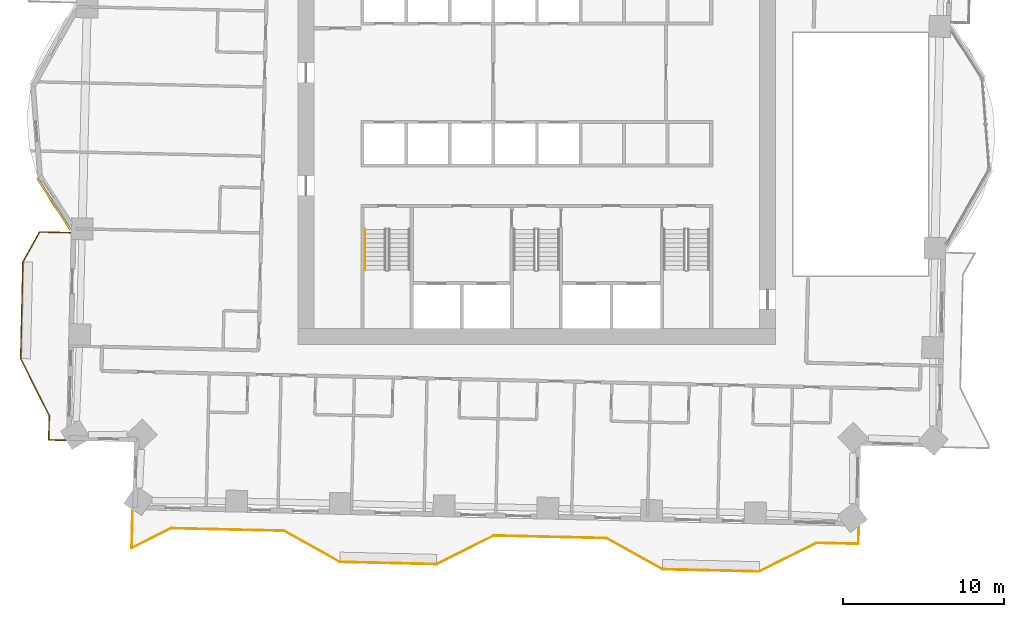
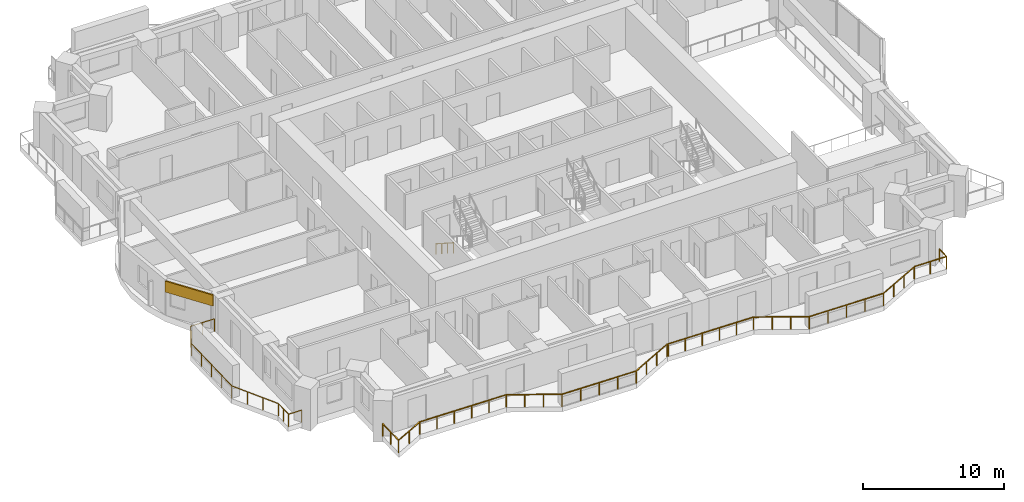
# One storey, part 13 of 16: 3 railings, 1 covering.
"""IFC4 building model written with IfcOpenShell, lengths in metres."""

from ifc_helpers import new_model, si_unit, direction, frame, frame_2d, origin, origin_2d, place, context, subcontext, project, spatial, rectangle, circle, extrude, material, layer, layer_set, type_object, element, save


model = new_model("IFC4")

# Units and contexts
model_context = context("Model", 3, precision=1e-05, world=origin(), true_north=direction((0.0, 1.0)))
body_context = subcontext(model_context, "Body", "Model", "MODEL_VIEW")
ifc_project = project(units=[si_unit("LENGTHUNIT", "METRE"), si_unit("AREAUNIT", "SQUARE_METRE"), si_unit("VOLUMEUNIT", "CUBIC_METRE"), si_unit("PLANEANGLEUNIT", "RADIAN"), si_unit("MASSUNIT", "GRAM", prefix="KILO")], contexts=[model_context])

# Site, building, storey
site_placement = place(None, origin())
site = spatial("IfcSite", under=ifc_project, at=site_placement, CompositionType="ELEMENT")
building_placement = place(site_placement, origin())
building = spatial("IfcBuilding", under=site, at=building_placement, Name="Mangrove Gate Tower", CompositionType="ELEMENT")
storey_placement = place(building_placement, frame((0.0, 0.0, 116.300048828125)))
storey = spatial("IfcBuildingStorey", under=building, at=storey_placement, Name="L29", CompositionType="ELEMENT", Elevation=116.300048828125)

# Railings
ifc_material_1 = material(Name="Stainless steel grade 316 with laminated glass infill", Category="steel")
railing_type_1 = type_object("IfcRailingType", Name="Balcony guard 1100", PredefinedType="GUARDRAIL", material=ifc_material_1)
railing_1_placement = place(storey_placement, frame((-28.89892578125, -4.85791015625, 0.0)))
element("IfcRailing", 1, at=railing_1_placement, inside=storey, type_object=railing_type_1, Name="GUARD L29 W2", PredefinedType="GUARDRAIL", context=body_context, shape_type="SweptSolid", body=[
    extrude(rectangle(XDim=0.048095703125, YDim=0.048095703125, at=origin_2d()), frame((0.0, 0.0, 1.076171875), z_axis=(-0.999737613728, 0.02290641172, 0.0), x_axis=(-0.02290641172, -0.999737613728, 0.0)), (0.0, 0.0, 1.0), 1.91845703125),
    extrude(rectangle(XDim=0.048095703125, YDim=0.048095703125, at=origin_2d()), frame((-1.91796875, 0.0439453125, 1.076171875), z_axis=(-0.487186514768, -0.873297944477, 0.0), x_axis=(0.873297944477, -0.487186514768, 0.0)), (0.0, 0.0, 1.0), 2.120849609375),
    extrude(rectangle(XDim=0.048095703125, YDim=0.048095703125, at=origin_2d()), frame((-2.951171875, -1.80810546875, 1.076171875), z_axis=(-0.022828630714, -0.999739392852, 0.0), x_axis=(0.999739392852, -0.022828630714, 0.0)), (0.0, 0.0, 1.0), 5.99951171875),
    extrude(rectangle(XDim=0.048095703125, YDim=0.048095703125, at=origin_2d()), frame((-3.088134765625, -7.80615234375, 1.076171875), z_axis=(0.447312255532, -0.894377854182, 0.0), x_axis=(0.894377854182, 0.447312255532, 0.0)), (0.0, 0.0, 1.0), 3.959228515625),
    extrude(rectangle(XDim=0.048095703125, YDim=0.048095703125, at=origin_2d()), frame((-1.317138671875, -11.34716796875, 1.076171875), z_axis=(-0.022617910375, -0.999744182344, 0.0), x_axis=(0.999744182344, -0.022617910375, 0.0)), (0.0, 0.0, 1.0), 1.50048828125),
    extrude(rectangle(XDim=0.048095703125, YDim=0.048095703125, at=origin_2d()), frame((-1.35107421875, -12.84716796875, 1.076171875), z_axis=(0.999744919731, -0.022585293253, 0.0), x_axis=(0.022585293253, 0.999744919731, 0.0)), (0.0, 0.0, 1.0), 1.059326171875),
    extrude(rectangle(XDim=0.0419921875, YDim=0.0419921875, at=origin_2d()), origin(), (0.0, 0.0, 1.0), 1.052001953125),
    extrude(rectangle(XDim=0.0419921875, YDim=0.0419921875, at=origin_2d()), frame((-0.958984375, 0.02197265625, 0.0)), (0.0, 0.0, 1.0), 1.052001953125),
    extrude(rectangle(XDim=0.0419921875, YDim=0.0419921875, at=origin_2d()), frame((-1.91796875, 0.0439453125, 0.0)), (0.0, 0.0, 1.0), 1.052001953125),
    extrude(rectangle(XDim=0.0419921875, YDim=0.0419921875, at=origin_2d()), frame((-2.4345703125, -0.882080078125, 0.0)), (0.0, 0.0, 1.0), 1.052001953125),
    extrude(rectangle(XDim=0.0419921875, YDim=0.0419921875, at=origin_2d()), frame((-2.951171875, -1.80810546875, 0.0)), (0.0, 0.0, 1.0), 1.052001953125),
    extrude(rectangle(XDim=0.0419921875, YDim=0.0419921875, at=origin_2d()), frame((-2.9853515625, -3.3076171875, 0.0)), (0.0, 0.0, 1.0), 1.052001953125),
    extrude(rectangle(XDim=0.0419921875, YDim=0.0419921875, at=origin_2d()), frame((-3.01953125, -4.80712890625, 0.0)), (0.0, 0.0, 1.0), 1.052001953125),
    extrude(rectangle(XDim=0.0419921875, YDim=0.0419921875, at=origin_2d()), frame((-3.053955078125, -6.306640625, 0.0)), (0.0, 0.0, 1.0), 1.052001953125),
    extrude(rectangle(XDim=0.0419921875, YDim=0.0419921875, at=origin_2d()), frame((-3.088134765625, -7.80615234375, 0.0)), (0.0, 0.0, 1.0), 1.052001953125),
    extrude(rectangle(XDim=0.0419921875, YDim=0.0419921875, at=origin_2d()), frame((-2.497802734375, -8.986572265625, 0.0)), (0.0, 0.0, 1.0), 1.052001953125),
    extrude(rectangle(XDim=0.0419921875, YDim=0.0419921875, at=origin_2d()), frame((-1.907470703125, -10.166748046875, 0.0)), (0.0, 0.0, 1.0), 1.052001953125),
    extrude(rectangle(XDim=0.0419921875, YDim=0.0419921875, at=origin_2d()), frame((-1.317138671875, -11.34716796875, 0.0)), (0.0, 0.0, 1.0), 1.052001953125),
    extrude(rectangle(XDim=0.0419921875, YDim=0.0419921875, at=origin_2d()), frame((-1.333984375, -12.09716796875, 0.0)), (0.0, 0.0, 1.0), 1.052001953125),
    extrude(rectangle(XDim=0.0419921875, YDim=0.0419921875, at=origin_2d()), frame((-1.35107421875, -12.84716796875, 0.0)), (0.0, 0.0, 1.0), 1.052001953125),
    extrude(rectangle(XDim=0.0419921875, YDim=0.0419921875, at=origin_2d()), frame((-0.2919921875, -12.87109375, 0.0)), (0.0, 0.0, 1.0), 1.052001953125),
])
railing_2_placement = place(storey_placement, frame((-25.048095703125, -22.06396484375, 0.0)))
element("IfcRailing", 2, at=railing_2_placement, inside=storey, type_object=railing_type_1, Name="GUARD L29 S1", PredefinedType="GUARDRAIL", context=body_context, shape_type="SweptSolid", body=[
    extrude(rectangle(XDim=0.048095703125, YDim=0.048095703125, at=origin_2d()), frame((0.0, 0.0, 1.076171875), z_axis=(-0.022730923236, -0.999741619184, 0.0), x_axis=(0.999741619184, -0.022730923236, 0.0)), (0.0, 0.0, 1.0), 2.33056640625),
    extrude(rectangle(XDim=0.048095703125, YDim=0.048095703125, at=origin_2d()), frame((-0.052978515625, -2.330078125, 1.076171875), z_axis=(0.894427191, 0.4472135955, 0.0), x_axis=(-0.4472135955, 0.894427191, 0.0)), (0.0, 0.0, 1.0), 2.71923828125),
    extrude(rectangle(XDim=0.048095703125, YDim=0.048095703125, at=origin_2d()), frame((2.379150390625, -1.114013671875, 1.076171875), z_axis=(0.999742267452, -0.022702393474, 0.0), x_axis=(0.022702393474, 0.999742267452, 0.0)), (0.0, 0.0, 1.0), 7.000732421875),
    extrude(rectangle(XDim=0.048095703125, YDim=0.048095703125, at=origin_2d()), frame((9.378173828125, -1.27294921875, 1.076171875), z_axis=(0.873230657876, -0.487307108654, 0.0), x_axis=(0.487307108654, 0.873230657876, 0.0)), (0.0, 0.0, 1.0), 3.958984375),
    extrude(rectangle(XDim=0.048095703125, YDim=0.048095703125, at=origin_2d()), frame((12.835205078125, -3.2021484375, 1.076171875), z_axis=(0.999743073592, -0.022666865795, 0.0), x_axis=(0.022666865795, 0.999743073592, 0.0)), (0.0, 0.0, 1.0), 5.999267578125),
    extrude(rectangle(XDim=0.048095703125, YDim=0.048095703125, at=origin_2d()), frame((18.8330078125, -3.338134765625, 1.076171875), z_axis=(0.894476522376, 0.447114919141, 0.0), x_axis=(-0.447114919141, 0.894476522376, 0.0)), (0.0, 0.0, 1.0), 3.958740234375),
    extrude(rectangle(XDim=0.048095703125, YDim=0.048095703125, at=origin_2d()), frame((22.3740234375, -1.568115234375, 1.076171875), z_axis=(0.999809691461, -0.019508481785, 0.0), x_axis=(0.019508481785, 0.999809691461, 0.0)), (0.0, 0.0, 1.0), 0.10009765625),
    extrude(rectangle(XDim=0.048095703125, YDim=0.048095703125, at=origin_2d()), frame((22.47412109375, -1.570068359375, 1.076171875), z_axis=(0.999741140915, -0.022751948524, 0.0), x_axis=(0.022751948524, 0.999741140915, 0.0)), (0.0, 0.0, 1.0), 6.899658203125),
    extrude(rectangle(XDim=0.048095703125, YDim=0.048095703125, at=origin_2d()), frame((29.3720703125, -1.72705078125, 1.076171875), z_axis=(0.873315448515, -0.487155136876, 0.0), x_axis=(0.487155136876, 0.873315448515, 0.0)), (0.0, 0.0, 1.0), 3.959716796875),
    extrude(rectangle(XDim=0.048095703125, YDim=0.048095703125, at=origin_2d()), frame((32.830078125, -3.656005859375, 1.076171875), z_axis=(0.999743094499, -0.022665943652, 0.0), x_axis=(0.022665943652, 0.999743094499, 0.0)), (0.0, 0.0, 1.0), 5.99951171875),
    extrude(rectangle(XDim=0.048095703125, YDim=0.048095703125, at=origin_2d()), frame((38.828125, -3.7919921875, 1.076171875), z_axis=(0.894476522376, 0.447114919141, 0.0), x_axis=(-0.447114919141, 0.894476522376, 0.0)), (0.0, 0.0, 1.0), 3.958740234375),
    extrude(rectangle(XDim=0.048095703125, YDim=0.048095703125, at=origin_2d()), frame((42.369140625, -2.02197265625, 1.076171875), z_axis=(0.999742512816, -0.022691585828, 0.0), x_axis=(0.022691585828, 0.999742512816, 0.0)), (0.0, 0.0, 1.0), 2.603759765625),
    extrude(rectangle(XDim=0.048095703125, YDim=0.048095703125, at=origin_2d()), frame((44.97216796875, -2.0810546875, 1.076171875), z_axis=(0.022564497502, 0.999745389313, 0.0), x_axis=(-0.999745389313, 0.022564497502, 0.0)), (0.0, 0.0, 1.0), 1.060302734375),
    extrude(rectangle(XDim=0.0419921875, YDim=0.0419921875, at=origin_2d()), origin(), (0.0, 0.0, 1.0), 1.052001953125),
    extrude(rectangle(XDim=0.0419921875, YDim=0.0419921875, at=origin_2d()), frame((-0.0263671875, -1.1650390625, 0.0)), (0.0, 0.0, 1.0), 1.052001953125),
    extrude(rectangle(XDim=0.0419921875, YDim=0.0419921875, at=origin_2d()), frame((-0.052978515625, -2.330078125, 0.0)), (0.0, 0.0, 1.0), 1.052001953125),
    extrude(rectangle(XDim=0.0419921875, YDim=0.0419921875, at=origin_2d()), frame((1.1630859375, -1.72216796875, 0.0)), (0.0, 0.0, 1.0), 1.052001953125),
    extrude(rectangle(XDim=0.0419921875, YDim=0.0419921875, at=origin_2d()), frame((2.379150390625, -1.114013671875, 0.0)), (0.0, 0.0, 1.0), 1.052001953125),
    extrude(rectangle(XDim=0.0419921875, YDim=0.0419921875, at=origin_2d()), frame((3.779052734375, -1.145751953125, 0.0)), (0.0, 0.0, 1.0), 1.052001953125),
    extrude(rectangle(XDim=0.0419921875, YDim=0.0419921875, at=origin_2d()), frame((5.1787109375, -1.177490234375, 0.0)), (0.0, 0.0, 1.0), 1.052001953125),
    extrude(rectangle(XDim=0.0419921875, YDim=0.0419921875, at=origin_2d()), frame((6.57861328125, -1.20947265625, 0.0)), (0.0, 0.0, 1.0), 1.052001953125),
    extrude(rectangle(XDim=0.0419921875, YDim=0.0419921875, at=origin_2d()), frame((7.978271484375, -1.2412109375, 0.0)), (0.0, 0.0, 1.0), 1.052001953125),
    extrude(rectangle(XDim=0.0419921875, YDim=0.0419921875, at=origin_2d()), frame((9.378173828125, -1.27294921875, 0.0)), (0.0, 0.0, 1.0), 1.052001953125),
    extrude(rectangle(XDim=0.0419921875, YDim=0.0419921875, at=origin_2d()), frame((10.530517578125, -1.916015625, 0.0)), (0.0, 0.0, 1.0), 1.052001953125),
    extrude(rectangle(XDim=0.0419921875, YDim=0.0419921875, at=origin_2d()), frame((11.682861328125, -2.55908203125, 0.0)), (0.0, 0.0, 1.0), 1.052001953125),
    extrude(rectangle(XDim=0.0419921875, YDim=0.0419921875, at=origin_2d()), frame((12.835205078125, -3.2021484375, 0.0)), (0.0, 0.0, 1.0), 1.052001953125),
    extrude(rectangle(XDim=0.0419921875, YDim=0.0419921875, at=origin_2d()), frame((14.334716796875, -3.236083984375, 0.0)), (0.0, 0.0, 1.0), 1.052001953125),
    extrude(rectangle(XDim=0.0419921875, YDim=0.0419921875, at=origin_2d()), frame((15.833984375, -3.27001953125, 0.0)), (0.0, 0.0, 1.0), 1.052001953125),
    extrude(rectangle(XDim=0.0419921875, YDim=0.0419921875, at=origin_2d()), frame((17.33349609375, -3.30419921875, 0.0)), (0.0, 0.0, 1.0), 1.052001953125),
    extrude(rectangle(XDim=0.0419921875, YDim=0.0419921875, at=origin_2d()), frame((18.8330078125, -3.338134765625, 0.0)), (0.0, 0.0, 1.0), 1.052001953125),
    extrude(rectangle(XDim=0.0419921875, YDim=0.0419921875, at=origin_2d()), frame((20.013427734375, -2.748046875, 0.0)), (0.0, 0.0, 1.0), 1.052001953125),
    extrude(rectangle(XDim=0.0419921875, YDim=0.0419921875, at=origin_2d()), frame((21.193603515625, -2.158203125, 0.0)), (0.0, 0.0, 1.0), 1.052001953125),
    extrude(rectangle(XDim=0.0419921875, YDim=0.0419921875, at=origin_2d()), frame((22.3740234375, -1.568115234375, 0.0)), (0.0, 0.0, 1.0), 1.052001953125),
    extrude(rectangle(XDim=0.0419921875, YDim=0.0419921875, at=origin_2d()), frame((22.47412109375, -1.570068359375, 0.0)), (0.0, 0.0, 1.0), 1.052001953125),
    extrude(rectangle(XDim=0.0419921875, YDim=0.0419921875, at=origin_2d()), frame((23.853759765625, -1.6015625, 0.0)), (0.0, 0.0, 1.0), 1.052001953125),
    extrude(rectangle(XDim=0.0419921875, YDim=0.0419921875, at=origin_2d()), frame((25.2333984375, -1.6328125, 0.0)), (0.0, 0.0, 1.0), 1.052001953125),
    extrude(rectangle(XDim=0.0419921875, YDim=0.0419921875, at=origin_2d()), frame((26.61279296875, -1.664306640625, 0.0)), (0.0, 0.0, 1.0), 1.052001953125),
    extrude(rectangle(XDim=0.0419921875, YDim=0.0419921875, at=origin_2d()), frame((27.992431640625, -1.695556640625, 0.0)), (0.0, 0.0, 1.0), 1.052001953125),
    extrude(rectangle(XDim=0.0419921875, YDim=0.0419921875, at=origin_2d()), frame((29.3720703125, -1.72705078125, 0.0)), (0.0, 0.0, 1.0), 1.052001953125),
    extrude(rectangle(XDim=0.0419921875, YDim=0.0419921875, at=origin_2d()), frame((30.524658203125, -2.3701171875, 0.0)), (0.0, 0.0, 1.0), 1.052001953125),
    extrude(rectangle(XDim=0.0419921875, YDim=0.0419921875, at=origin_2d()), frame((31.677490234375, -3.012939453125, 0.0)), (0.0, 0.0, 1.0), 1.052001953125),
    extrude(rectangle(XDim=0.0419921875, YDim=0.0419921875, at=origin_2d()), frame((32.830078125, -3.656005859375, 0.0)), (0.0, 0.0, 1.0), 1.052001953125),
    extrude(rectangle(XDim=0.0419921875, YDim=0.0419921875, at=origin_2d()), frame((34.32958984375, -3.68994140625, 0.0)), (0.0, 0.0, 1.0), 1.052001953125),
    extrude(rectangle(XDim=0.0419921875, YDim=0.0419921875, at=origin_2d()), frame((35.8291015625, -3.72412109375, 0.0)), (0.0, 0.0, 1.0), 1.052001953125),
    extrude(rectangle(XDim=0.0419921875, YDim=0.0419921875, at=origin_2d()), frame((37.32861328125, -3.758056640625, 0.0)), (0.0, 0.0, 1.0), 1.052001953125),
    extrude(rectangle(XDim=0.0419921875, YDim=0.0419921875, at=origin_2d()), frame((38.828125, -3.7919921875, 0.0)), (0.0, 0.0, 1.0), 1.052001953125),
    extrude(rectangle(XDim=0.0419921875, YDim=0.0419921875, at=origin_2d()), frame((40.008544921875, -3.201904296875, 0.0)), (0.0, 0.0, 1.0), 1.052001953125),
    extrude(rectangle(XDim=0.0419921875, YDim=0.0419921875, at=origin_2d()), frame((41.188720703125, -2.612060546875, 0.0)), (0.0, 0.0, 1.0), 1.052001953125),
    extrude(rectangle(XDim=0.0419921875, YDim=0.0419921875, at=origin_2d()), frame((42.369140625, -2.02197265625, 0.0)), (0.0, 0.0, 1.0), 1.052001953125),
    extrude(rectangle(XDim=0.0419921875, YDim=0.0419921875, at=origin_2d()), frame((43.670654296875, -2.051513671875, 0.0)), (0.0, 0.0, 1.0), 1.052001953125),
    extrude(rectangle(XDim=0.0419921875, YDim=0.0419921875, at=origin_2d()), frame((44.97216796875, -2.0810546875, 0.0)), (0.0, 0.0, 1.0), 1.052001953125),
    extrude(rectangle(XDim=0.0419921875, YDim=0.0419921875, at=origin_2d()), frame((44.99609375, -1.02099609375, 0.0)), (0.0, 0.0, 1.0), 1.052001953125),
])
ifc_material_2 = material(Name="Stainless steel 316", Category="steel")
railing_type_2 = type_object("IfcRailingType", Name="Core stair handrail 900", PredefinedType="HANDRAIL", material=ifc_material_2)
railing_3_placement = place(storey_placement, frame((-10.64990234375, -4.64990234375, 0.179931640625)))
element("IfcRailing", 3, at=railing_3_placement, inside=storey, type_object=railing_type_2, Name="L29 ST1 stair handrail 1", PredefinedType="HANDRAIL", context=body_context, shape_type="SweptSolid", body=[
    extrude(circle(Radius=0.02392578125, at=origin_2d()), frame((0.0, 0.0, 0.8759765625), z_axis=(0.0, -0.841162588446, 0.540782303519), x_axis=(1.0, 0.0, 0.0)), (0.0, 0.0, 1.0), 2.995849609375),
    extrude(circle(Radius=0.02099609375, at=origin_2d()), origin(), (0.0, 0.0, 1.0), 0.851806640625),
    extrude(circle(Radius=0.02099609375, at=origin_2d()), frame((0.0, -0.840087890625, 0.5400390625)), (0.0, 0.0, 1.0), 0.851806640625),
    extrude(circle(Radius=0.02099609375, at=origin_2d()), frame((0.0, -1.679931640625, 1.080078125)), (0.0, 0.0, 1.0), 0.851806640625),
    extrude(circle(Radius=0.02099609375, at=origin_2d()), frame((0.0, -2.52001953125, 1.6201171875)), (0.0, 0.0, 1.0), 0.851806640625),
])

# Covering
ifc_material_3 = material(Name="Limestone", Category="masonry")
ifc_layer_1 = layer(ifc_material_3, 0.0400390625, Name="Limestone cladding")
ifc_material_4 = material(Name="Stainless steel anchors and cavity", Category="steel")
ifc_layer_2 = layer(ifc_material_4, 0.080078125, Name="Fixing cavity")
ifc_layer_set = layer_set([ifc_layer_1, ifc_layer_2], Name="Joint fascia cladding 120")
covering_type = type_object("IfcCoveringType", Name="Joint fascia cladding 120", PredefinedType="CLADDING", material=ifc_layer_set)
covering_placement = place(storey_placement, frame((-30.962890625, -1.47412109375, 2.099853515625), z_axis=(0.0, 0.0, 1.0), x_axis=(0.540486138148, -0.841352919095, 0.0)))
element("IfcCovering", 4, at=covering_placement, inside=storey, type_object=covering_type, Name="STONE FASCIA L29 W9.L2", PredefinedType="CLADDING", context=body_context, shape_type="SweptSolid", body=[
    extrude(rectangle(XDim=3.818603515625, YDim=0.1201171875, at=frame_2d((1.9091796875, 0.0))), origin(), (0.0, 0.0, 1.0), 0.9501953125),
])

save(model, "model.ifc")
